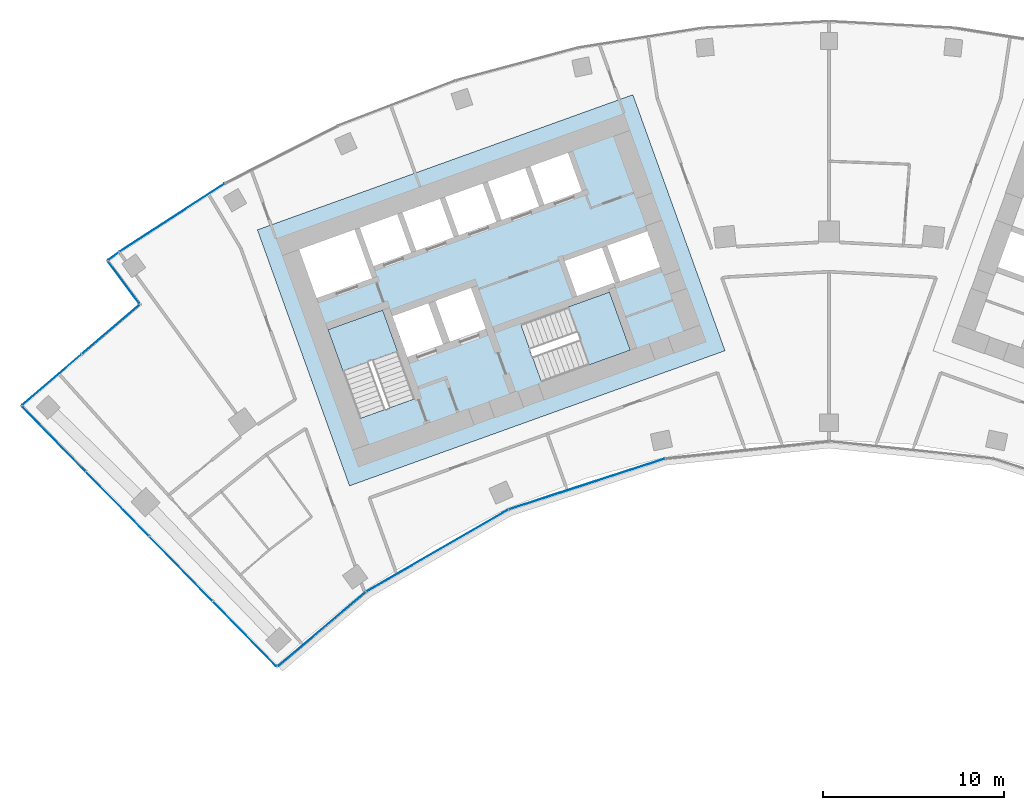
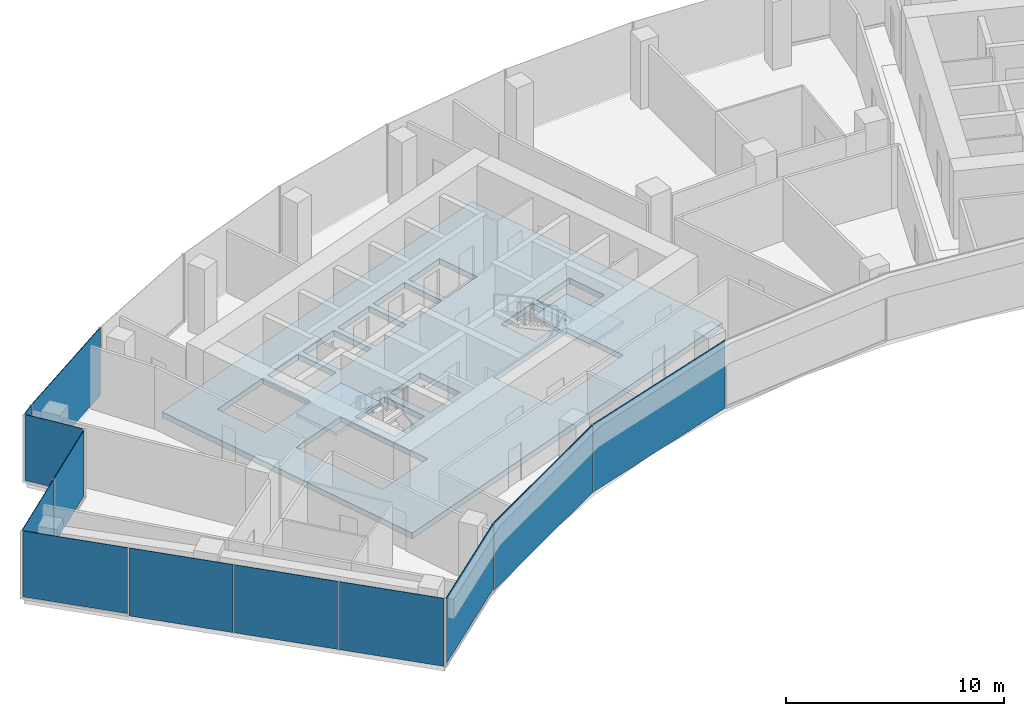
# One storey, part 10 of 18: 12 plates, 3 slabs, 7 elements without a shape of their own.
"""IFC4 building model written with IfcOpenShell, lengths in metres."""

from ifc_helpers import new_model, si_unit, direction, frame, origin, origin_2d, place, context, subcontext, project, spatial, polyline, rectangle, outline, extrude, material, layer, layer_set, type_object, element, aggregate, save


model = new_model("IFC4")

# Units and contexts
model_context = context("Model", 3, precision=1e-05, world=origin(), true_north=direction((0.0, 1.0)))
body_context = subcontext(model_context, "Body", "Model", "MODEL_VIEW")
ifc_project = project(units=[si_unit("LENGTHUNIT", "METRE"), si_unit("AREAUNIT", "SQUARE_METRE"), si_unit("VOLUMEUNIT", "CUBIC_METRE"), si_unit("PLANEANGLEUNIT", "RADIAN"), si_unit("MASSUNIT", "GRAM", prefix="KILO")], contexts=[model_context])

# Site, building, storey
site_placement = place(None, origin())
site = spatial("IfcSite", under=ifc_project, at=site_placement, CompositionType="ELEMENT")
building_placement = place(site_placement, origin())
building = spatial("IfcBuilding", under=site, at=building_placement, Name="Stone Belt Terrace Tower", CompositionType="ELEMENT")
storey_placement = place(building_placement, frame((0.0, 0.0, 220.0)))
storey = spatial("IfcBuildingStorey", under=building, at=storey_placement, Name="L53", CompositionType="ELEMENT", Elevation=220.0)

# Curtain wall, plates
ifc_material_1 = material(Name="Aluminium 6063-T6 anodised frame", Category="aluminium")
ifc_layer_1 = layer(ifc_material_1, 0.14990234375)
ifc_layer_set_1 = layer_set([ifc_layer_1], Name="CW-A unitised convex-face curtain wall")
curtain_wall_type_1 = type_object("IfcCurtainWallType", Name="CW-A unitised convex-face curtain wall", PredefinedType="NOTDEFINED", material=ifc_layer_set_1)
curtain_wall_1_placement = place(storey_placement, origin())
curtain_wall_1 = element("IfcCurtainWall", 1, at=curtain_wall_1_placement, inside=storey, type_object=curtain_wall_type_1, Name="CW-A convex face L53", PredefinedType="NOTDEFINED")
ifc_material_2 = material(Name="Clear double glazed unit")
ifc_layer_2 = layer(ifc_material_2, 0.031982421875)
ifc_layer_set_2 = layer_set([ifc_layer_2], Name="CW-A glass panel 32")
plate_type_1 = type_object("IfcPlateType", Name="CW-A glass panel 32", PredefinedType="CURTAIN_PANEL", material=ifc_layer_set_2)
plate_1_placement = place(storey_placement, frame((-36.209716796875, 55.758056640625, 0.0), z_axis=(0.0, 0.0, 1.0), x_axis=(-0.838670567945, -0.544639035015, 0.0)))
plate_1 = element("IfcPlate", 2, at=plate_1_placement, type_object=plate_type_1, Name="CW-A panel 14.1", PredefinedType="CURTAIN_PANEL", context=body_context, shape_type="SweptSolid", body=[
    extrude(rectangle(XDim=6.900634765625, YDim=0.031982421875, at=origin_2d()), origin(), (0.0, 0.0, 1.0), 3.800048828125),
])
plate_2_placement = place(storey_placement, frame((-39.436279296875, 53.636474609375, 0.0), z_axis=(0.0, 0.0, 1.0), x_axis=(-0.805804947695, -0.592181041802, 0.0)))
plate_2 = element("IfcPlate", 3, at=plate_2_placement, type_object=plate_type_1, Name="CW-A panel 15.1", PredefinedType="CURTAIN_PANEL", context=body_context, shape_type="SweptSolid", body=[
    extrude(rectangle(XDim=0.695068359375, YDim=0.031982421875, at=origin_2d()), origin(), (0.0, 0.0, 1.0), 3.800048828125),
])
aggregate(curtain_wall_1, [plate_1, plate_2])

ifc_layer_3 = layer(ifc_material_1, 0.14990234375)
ifc_layer_set_3 = layer_set([ifc_layer_3], Name="CW-B unitised concave-face curtain wall")
curtain_wall_type_2 = type_object("IfcCurtainWallType", Name="CW-B unitised concave-face curtain wall", PredefinedType="NOTDEFINED", material=ifc_layer_set_3)
curtain_wall_2_placement = place(storey_placement, origin())
curtain_wall_2 = element("IfcCurtainWall", 4, at=curtain_wall_2_placement, inside=storey, type_object=curtain_wall_type_2, Name="CW-B concave face L53", PredefinedType="NOTDEFINED")
ifc_layer_4 = layer(ifc_material_2, 0.030029296875)
ifc_layer_set_4 = layer_set([ifc_layer_4], Name="CW-B glass panel 30")
plate_type_2 = type_object("IfcPlateType", Name="CW-B glass panel 30", PredefinedType="CURTAIN_PANEL", material=ifc_layer_set_4)
plate_3_placement = place(storey_placement, frame((-27.96240234375, 33.072021484375, 0.1201171875), z_axis=(0.0, 0.0, 1.0), x_axis=(0.763918888428, 0.645312274719, 0.0)))
plate_3 = element("IfcPlate", 5, at=plate_3_placement, type_object=plate_type_2, Name="CW-B panel 1.1", PredefinedType="CURTAIN_PANEL", context=body_context, shape_type="SweptSolid", body=[
    extrude(rectangle(XDim=6.3173828125, YDim=0.030029296875, at=origin_2d()), origin(), (0.0, 0.0, 1.0), 3.679931640625),
])
plate_4_placement = place(storey_placement, frame((-21.594482421875, 37.400146484375, 0.0), z_axis=(0.0, 0.0, 1.0), x_axis=(0.866025403784, 0.5, 0.0)))
plate_4 = element("IfcPlate", 6, at=plate_4_placement, type_object=plate_type_2, Name="CW-B panel 2.1", PredefinedType="CURTAIN_PANEL", context=body_context, shape_type="SweptSolid", body=[
    extrude(rectangle(XDim=9.01513671875, YDim=0.030029296875, at=origin_2d()), origin(), (0.0, 0.0, 1.0), 3.800048828125),
])
plate_5_placement = place(storey_placement, frame((-13.345458984375, 41.072998046875, 0.0), z_axis=(0.0, 0.0, 1.0), x_axis=(0.951056516295, 0.309016994375, 0.0)))
plate_5 = element("IfcPlate", 7, at=plate_5_placement, type_object=plate_type_2, Name="CW-B panel 3.1", PredefinedType="CURTAIN_PANEL", context=body_context, shape_type="SweptSolid", body=[
    extrude(rectangle(XDim=9.0126953125, YDim=0.030029296875, at=origin_2d()), origin(), (0.0, 0.0, 1.0), 3.800048828125),
])
aggregate(curtain_wall_2, [plate_3, plate_4, plate_5])

# Curtain wall, plate
ifc_layer_5 = layer(ifc_material_1, 0.14990234375)
ifc_layer_set_5 = layer_set([ifc_layer_5], Name="CW-C stick curtain wall, horn ends and notches")
curtain_wall_type_3 = type_object("IfcCurtainWallType", Name="CW-C stick curtain wall, horn ends and notches", PredefinedType="NOTDEFINED", material=ifc_layer_set_5)
curtain_wall_3_placement = place(storey_placement, origin())
curtain_wall_3 = element("IfcCurtainWall", 8, at=curtain_wall_3_placement, inside=storey, type_object=curtain_wall_type_3, Name="CW-C notch face L53", PredefinedType="NOTDEFINED")
ifc_layer_6 = layer(ifc_material_2, 0.028076171875)
ifc_layer_set_6 = layer_set([ifc_layer_6], Name="CW-C glass panel 28")
plate_type_3 = type_object("IfcPlateType", Name="CW-C glass panel 28", PredefinedType="CURTAIN_PANEL", material=ifc_layer_set_6)
plate_6_placement = place(storey_placement, frame((-38.879638671875, 52.18017578125, 0.1201171875), z_axis=(0.0, 0.0, 1.0), x_axis=(0.596559278942, -0.802569016788, 0.0)))
plate_6 = element("IfcPlate", 9, at=plate_6_placement, type_object=plate_type_3, Name="CW-C panel 1.1", PredefinedType="CURTAIN_PANEL", context=body_context, shape_type="SweptSolid", body=[
    extrude(rectangle(XDim=2.85791015625, YDim=0.028076171875, at=origin_2d()), origin(), (0.0, 0.0, 1.0), 3.679931640625),
])
aggregate(curtain_wall_3, [plate_6])

# Curtain wall, plates
curtain_wall_4_placement = place(storey_placement, origin())
curtain_wall_4 = element("IfcCurtainWall", 10, at=curtain_wall_4_placement, inside=storey, type_object=curtain_wall_type_3, Name="CW-C notch face L53", PredefinedType="NOTDEFINED")
plate_7_placement = place(storey_placement, frame((-39.605712890625, 49.589111328125, 0.1201171875), z_axis=(0.0, 0.0, 1.0), x_axis=(-0.760394317919, -0.649461685764, 0.0)))
plate_7 = element("IfcPlate", 11, at=plate_7_placement, type_object=plate_type_3, Name="CW-C panel 1.1", PredefinedType="CURTAIN_PANEL", context=body_context, shape_type="SweptSolid", body=[
    extrude(rectangle(XDim=4.12060546875, YDim=0.028076171875, at=origin_2d()), origin(), (0.0, 0.0, 1.0), 3.679931640625),
])
plate_8_placement = place(storey_placement, frame((-42.8408203125, 46.825927734375, 0.0), z_axis=(0.0, 0.0, 1.0), x_axis=(-0.760394317919, -0.649461685764, 0.0)))
plate_8 = element("IfcPlate", 12, at=plate_8_placement, type_object=plate_type_3, Name="CW-C panel 2.1", PredefinedType="CURTAIN_PANEL", context=body_context, shape_type="SweptSolid", body=[
    extrude(rectangle(XDim=4.268798828125, YDim=0.028076171875, at=origin_2d()), origin(), (0.0, 0.0, 1.0), 3.800048828125),
])
aggregate(curtain_wall_4, [plate_7, plate_8])

curtain_wall_5_placement = place(storey_placement, origin())
curtain_wall_5 = element("IfcCurtainWall", 13, at=curtain_wall_5_placement, inside=storey, type_object=curtain_wall_type_3, Name="CW-C end face L53", PredefinedType="NOTDEFINED")
plate_9_placement = place(storey_placement, frame((-42.728759765625, 43.55908203125, 0.1201171875), z_axis=(0.0, 0.0, 1.0), x_axis=(0.699391266233, -0.714739013009, 0.0)))
plate_9 = element("IfcPlate", 14, at=plate_9_placement, type_object=plate_type_3, Name="CW-C panel 1.1", PredefinedType="CURTAIN_PANEL", context=body_context, shape_type="SweptSolid", body=[
    extrude(rectangle(XDim=4.974853515625, YDim=0.028076171875, at=origin_2d()), origin(), (0.0, 0.0, 1.0), 3.679931640625),
])
plate_10_placement = place(storey_placement, frame((-39.219482421875, 39.972900390625, 0.0), z_axis=(0.0, 0.0, 1.0), x_axis=(0.699391266233, -0.714739013009, 0.0)))
plate_10 = element("IfcPlate", 15, at=plate_10_placement, type_object=plate_type_3, Name="CW-C panel 2.1", PredefinedType="CURTAIN_PANEL", context=body_context, shape_type="SweptSolid", body=[
    extrude(rectangle(XDim=4.93994140625, YDim=0.028076171875, at=origin_2d()), origin(), (0.0, 0.0, 1.0), 3.800048828125),
])
plate_11_placement = place(storey_placement, frame((-35.72265625, 36.399169921875, 0.0), z_axis=(0.0, 0.0, 1.0), x_axis=(0.699391266233, -0.714739013009, 0.0)))
plate_11 = element("IfcPlate", 16, at=plate_11_placement, type_object=plate_type_3, Name="CW-C panel 3.1", PredefinedType="CURTAIN_PANEL", context=body_context, shape_type="SweptSolid", body=[
    extrude(rectangle(XDim=4.93994140625, YDim=0.028076171875, at=origin_2d()), origin(), (0.0, 0.0, 1.0), 3.800048828125),
])
plate_12_placement = place(storey_placement, frame((-32.21630859375, 32.81591796875, 0.0), z_axis=(0.0, 0.0, 1.0), x_axis=(0.699391266233, -0.714739013009, 0.0)))
plate_12 = element("IfcPlate", 17, at=plate_12_placement, type_object=plate_type_3, Name="CW-C panel 4.1", PredefinedType="CURTAIN_PANEL", context=body_context, shape_type="SweptSolid", body=[
    extrude(rectangle(XDim=4.966552734375, YDim=0.028076171875, at=origin_2d()), origin(), (0.0, 0.0, 1.0), 3.800048828125),
])
aggregate(curtain_wall_5, [plate_9, plate_10, plate_11, plate_12])

# Slab
ifc_material_3 = material(Name="Concrete B40", Category="concrete")
ifc_layer_7 = layer(ifc_material_3, 0.320068359375)
ifc_layer_set_7 = layer_set([ifc_layer_7], Name="Core floor slab 320")
slab_type_1 = type_object("IfcSlabType", Name="Core floor slab 320", PredefinedType="FLOOR", material=ifc_layer_set_7)
slab_1_placement = place(storey_placement, frame((0.0, 0.0, -0.320068359375)))
element("IfcSlab", 18, at=slab_1_placement, inside=storey, type_object=slab_type_1, Name="Core A floor L53", PredefinedType="FLOOR", context=body_context, shape_type="SweptSolid", body=[
    extrude(outline(polyline([(-26.43505859375, 40.968994140625), (-5.735107421875, 48.4189453125), (-10.81396484375, 62.531982421875), (-31.513916015625, 55.0830078125), (-26.43505859375, 40.968994140625)]), holes=[polyline([(-24.60791015625, 50.659912109375), (-22.847900390625, 45.76806640625), (-25.85888671875, 44.68408203125), (-27.618896484375, 49.575927734375), (-24.60791015625, 50.659912109375)]), polyline([(-23.25, 48.06689453125), (-24.06298828125, 50.324951171875), (-22.0869140625, 51.035888671875), (-21.27392578125, 48.778076171875), (-23.25, 48.06689453125)]), polyline([(-20.89794921875, 48.9130859375), (-21.7109375, 51.1708984375), (-19.735107421875, 51.883056640625), (-18.922119140625, 49.6240234375), (-20.89794921875, 48.9130859375)]), polyline([(-28.24609375, 51.31689453125), (-29.2109375, 53.9990234375), (-26.153076171875, 55.09912109375), (-25.18798828125, 52.41796875), (-28.24609375, 51.31689453125)]), polyline([(-23.801025390625, 55.946044921875), (-23.0390625, 53.8291015625), (-25.10888671875, 53.083984375), (-25.87109375, 55.200927734375), (-23.801025390625, 55.946044921875)]), polyline([(-21.447998046875, 56.7919921875), (-20.68603515625, 54.675048828125), (-22.756103515625, 53.929931640625), (-23.51806640625, 56.047119140625), (-21.447998046875, 56.7919921875)]), polyline([(-10.955078125, 48.452880859375), (-15.846923828125, 46.69189453125), (-16.998046875, 49.89208984375), (-12.10595703125, 51.652099609375), (-10.955078125, 48.452880859375)]), polyline([(-11.847900390625, 52.116943359375), (-11.864990234375, 52.1640625), (-13.887939453125, 51.43603515625), (-14.58203125, 53.364990234375), (-12.511962890625, 54.110107421875), (-11.801025390625, 52.134033203125), (-11.847900390625, 52.116943359375)]), polyline([(-9.30810546875, 53.031005859375), (-11.51904296875, 52.235107421875), (-12.22998046875, 54.2109375), (-10.01904296875, 55.007080078125), (-9.30810546875, 53.031005859375)]), polyline([(-21.166015625, 56.89404296875), (-19.095947265625, 57.638916015625), (-18.333984375, 55.52197265625), (-20.404052734375, 54.777099609375), (-21.166015625, 56.89404296875)]), polyline([(-16.743896484375, 58.485107421875), (-15.98193359375, 56.367919921875), (-18.052001953125, 55.623046875), (-18.81396484375, 57.739990234375), (-16.743896484375, 58.485107421875)]), polyline([(-14.39111328125, 59.33203125), (-13.6298828125, 57.215087890625), (-15.699951171875, 56.469970703125), (-16.4609375, 58.5869140625), (-14.39111328125, 59.33203125)])]), origin(), (0.0, 0.0, 1.0), 0.320068359375),
])

# Stair, slab
stair_type = type_object("IfcStairType", Name="Exit stair 1500", PredefinedType="HALF_TURN_STAIR", material=ifc_material_3)
stair_1_placement = place(storey_placement, origin())
stair_1 = element("IfcStair", 19, at=stair_1_placement, inside=storey, type_object=stair_type, Name="L53 Exit stair 1 core A", PredefinedType="HALF_TURN_STAIR")
ifc_layer_8 = layer(ifc_material_3, 0.199951171875)
ifc_layer_set_8 = layer_set([ifc_layer_8], Name="Stair landing 200")
slab_type_2 = type_object("IfcSlabType", Name="Stair landing 200", PredefinedType="LANDING", material=ifc_layer_set_8)
slab_2_placement = place(storey_placement, frame((0.0, 0.0, 1.699951171875)))
slab_2 = element("IfcSlab", 20, at=slab_2_placement, type_object=slab_type_2, Name="ST1A landing 1", PredefinedType="LANDING", context=body_context, shape_type="SweptSolid", body=[
    extrude(outline(polyline([(-23.79541015625, 48.40087890625), (-24.6083984375, 50.659912109375), (-27.619384765625, 49.576171875), (-26.806396484375, 47.3173828125), (-23.79541015625, 48.40087890625)])), origin(), (0.0, 0.0, 1.0), 0.199951171875),
])
aggregate(stair_1, [slab_2])

stair_2_placement = place(storey_placement, origin())
stair_2 = element("IfcStair", 21, at=stair_2_placement, inside=storey, type_object=stair_type, Name="L53 Exit stair 2 core A", PredefinedType="HALF_TURN_STAIR")
slab_3_placement = place(storey_placement, frame((0.0, 0.0, 1.699951171875)))
slab_3 = element("IfcSlab", 22, at=slab_3_placement, type_object=slab_type_2, Name="ST2A landing 1", PredefinedType="LANDING", context=body_context, shape_type="SweptSolid", body=[
    extrude(outline(polyline([(-13.213623046875, 47.64013671875), (-10.95458984375, 48.453125), (-12.10595703125, 51.652099609375), (-14.36474609375, 50.839111328125), (-13.213623046875, 47.64013671875)])), origin(), (0.0, 0.0, 1.0), 0.199951171875),
])
aggregate(stair_2, [slab_3])

save(model, "model.ifc")
